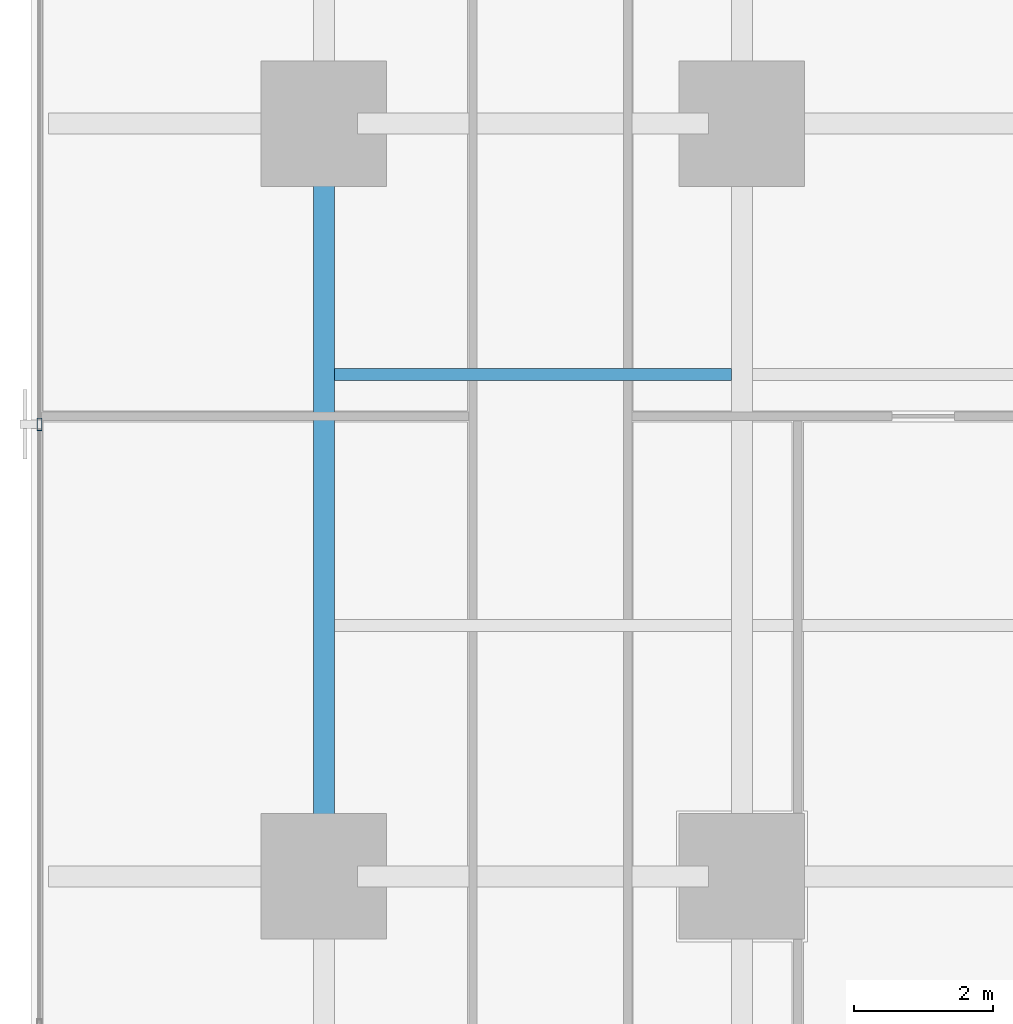
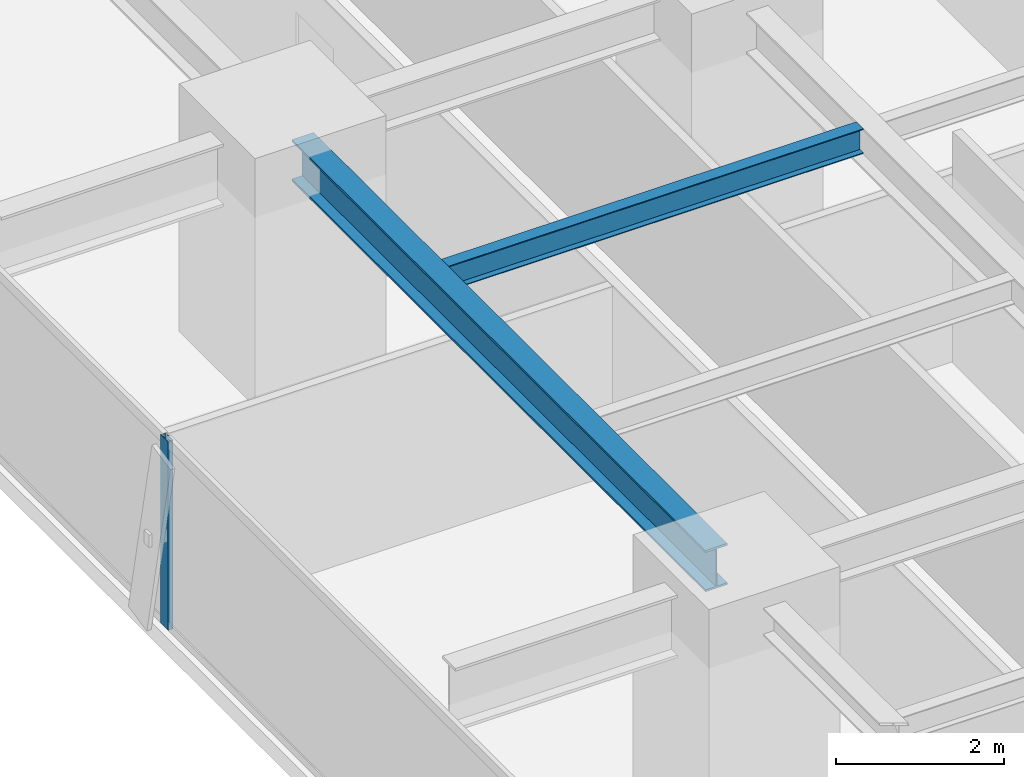
# One storey, part 7 of 33: 2 beams, 1 member, 1 element without a shape of its own.
"""IFC4 building model written with IfcOpenShell, lengths in metres."""

from ifc_helpers import new_model, si_unit, direction, frame, origin, origin_2d, place, context, subcontext, project, spatial, hollow_rectangle, i_section, extrude, source, transform, mapped, material, layer, layer_set, material_profile, profile_set, type_object, element, aggregate, save


model = new_model("IFC4")

# Units and contexts
model_context = context("Model", 3, precision=1e-05, world=origin(), true_north=direction((0.0, 1.0)))
body_context = subcontext(model_context, "Body", "Model", "MODEL_VIEW")
ifc_project = project(units=[si_unit("LENGTHUNIT", "METRE"), si_unit("AREAUNIT", "SQUARE_METRE"), si_unit("VOLUMEUNIT", "CUBIC_METRE"), si_unit("PLANEANGLEUNIT", "RADIAN"), si_unit("MASSUNIT", "GRAM", prefix="KILO")], contexts=[model_context])

# Site, building, storey
site_placement = place(None, origin())
site = spatial("IfcSite", under=ifc_project, at=site_placement, CompositionType="ELEMENT")
building_placement = place(site_placement, origin())
building = spatial("IfcBuilding", under=site, at=building_placement, Name="Sumidabori Civic Tower", CompositionType="ELEMENT")
storey_placement = place(building_placement, frame((0.0, 0.0, 30.800048828125)))
storey = spatial("IfcBuildingStorey", under=building, at=storey_placement, Name="L07", CompositionType="ELEMENT", Elevation=30.800048828125)

# Beams
ifc_material_1 = material(Name="Steel SN490", Category="steel")
ifc_material_profile_1 = material_profile(ifc_material_1, i_section(OverallWidth=0.300048828125, OverallDepth=0.60009765625, WebThickness=0.015380859375, FlangeThickness=0.030029296875, at=origin_2d()), Name="HE 600 B")
ifc_profile_set_1 = profile_set([ifc_material_profile_1], Name="Steel SN490")
beam_type_1 = type_object("IfcBeamType", Name="BM-GIRD-600", PredefinedType="BEAM", material=ifc_profile_set_1)
shared_shape_1 = source(origin(), body_context, "Body", "SweptSolid", [
    extrude(i_section(OverallWidth=0.300048828125, OverallDepth=0.60009765625, WebThickness=0.015380859375, FlangeThickness=0.030029296875, at=origin_2d()), origin(), (0.0, 0.0, 1.0), 9.840087890625),
])
beam_1_placement = place(storey_placement, frame((-22.800048828125, -10.320068359375, 3.06005859375), z_axis=(0.0, 1.0, 0.0), x_axis=(-1.0, 0.0, 0.0)))
element("IfcBeam", 1, at=beam_1_placement, inside=storey, type_object=beam_type_1, Name="Primary Girder L07 GY-22", PredefinedType="BEAM", context=body_context, shape_type="MappedRepresentation", body=[
    mapped(shared_shape_1, transform((0.0, 0.0, 0.0), x_axis=(1.0, 0.0, 0.0), y_axis=(0.0, 1.0, 0.0), z_axis=(0.0, 0.0, 1.0), scale=1.0)),
])
ifc_material_profile_2 = material_profile(ifc_material_1, i_section(OverallWidth=0.169921875, OverallDepth=0.360107421875, WebThickness=0.008056640625, FlangeThickness=0.0126953125, at=origin_2d()), Name="IPE 360")
ifc_profile_set_2 = profile_set([ifc_material_profile_2], Name="Steel SN490")
beam_type_2 = type_object("IfcBeamType", Name="BM-JST-360", PredefinedType="JOIST", material=ifc_profile_set_2)
shared_shape_2 = source(origin(), body_context, "Body", "SweptSolid", [
    extrude(i_section(OverallWidth=0.169921875, OverallDepth=0.360107421875, WebThickness=0.008056640625, FlangeThickness=0.0126953125, at=origin_2d()), origin(), (0.0, 0.0, 1.0), 5.699951171875),
])
beam_2_placement = place(storey_placement, frame((-22.64990234375, -3.60009765625, 3.179931640625), z_axis=(1.0, 0.0, 0.0), x_axis=(0.0, 1.0, 0.0)))
element("IfcBeam", 2, at=beam_2_placement, inside=storey, type_object=beam_type_2, Name="Outer Bay Floor Joist L07 JSTO-51", PredefinedType="JOIST", context=body_context, shape_type="MappedRepresentation", body=[
    mapped(shared_shape_2, transform((0.0, 0.0, 0.0), x_axis=(1.0, 0.0, 0.0), y_axis=(0.0, 1.0, 0.0), z_axis=(0.0, 0.0, 1.0), scale=1.0)),
])

# Curtain wall, member
ifc_material_2 = material(Name="Anodised Bronze Aluminium AW-6063-T6", Category="aluminium")
ifc_layer = layer(ifc_material_2, 0.179931640625, Name="Anodised Bronze Aluminium AW-6063-T6")
ifc_layer_set = layer_set([ifc_layer], Name="Anodised Bronze Aluminium AW-6063-T6")
curtain_wall_type = type_object("IfcCurtainWallType", Name="CW-SYS-2", PredefinedType="NOTDEFINED", material=ifc_layer_set)
curtain_wall_placement = place(storey_placement, origin())
curtain_wall = element("IfcCurtainWall", 3, at=curtain_wall_placement, inside=storey, type_object=curtain_wall_type, Name="Curtain Wall CW:L07:R10", PredefinedType="NOTDEFINED")
ifc_material_profile_3 = material_profile(ifc_material_2, hollow_rectangle(XDim=0.070068359375, YDim=0.179931640625, WallThickness=0.006103515625, at=origin_2d()), Name="ALU MULLION 180x70")
ifc_profile_set_3 = profile_set([ifc_material_profile_3], Name="Anodised Bronze Aluminium AW-6063-T6")
member_type = type_object("IfcMemberType", Name="CW-MUL-180", PredefinedType="MULLION", material=ifc_profile_set_3)
shared_shape_3 = source(origin(), body_context, "Body", "SweptSolid", [
    extrude(hollow_rectangle(XDim=0.070068359375, YDim=0.179931640625, WallThickness=0.006103515625, at=origin_2d()), origin(), (0.0, 0.0, 1.0), 2.739990234375),
])
member_placement = place(storey_placement, frame((-26.8798828125, -4.31396484375, 0.0), z_axis=(0.0, 0.0, 1.0), x_axis=(1.0, 0.0, 0.0)))
member = element("IfcMember", 4, at=member_placement, type_object=member_type, Name="CW-2 mullion 4", PredefinedType="MULLION", context=body_context, shape_type="MappedRepresentation", body=[
    mapped(shared_shape_3, transform((0.0, 0.0, 0.0), x_axis=(1.0, 0.0, 0.0), y_axis=(0.0, 1.0, 0.0), z_axis=(0.0, 0.0, 1.0), scale=1.0)),
])
aggregate(curtain_wall, [member])

save(model, "model.ifc")
